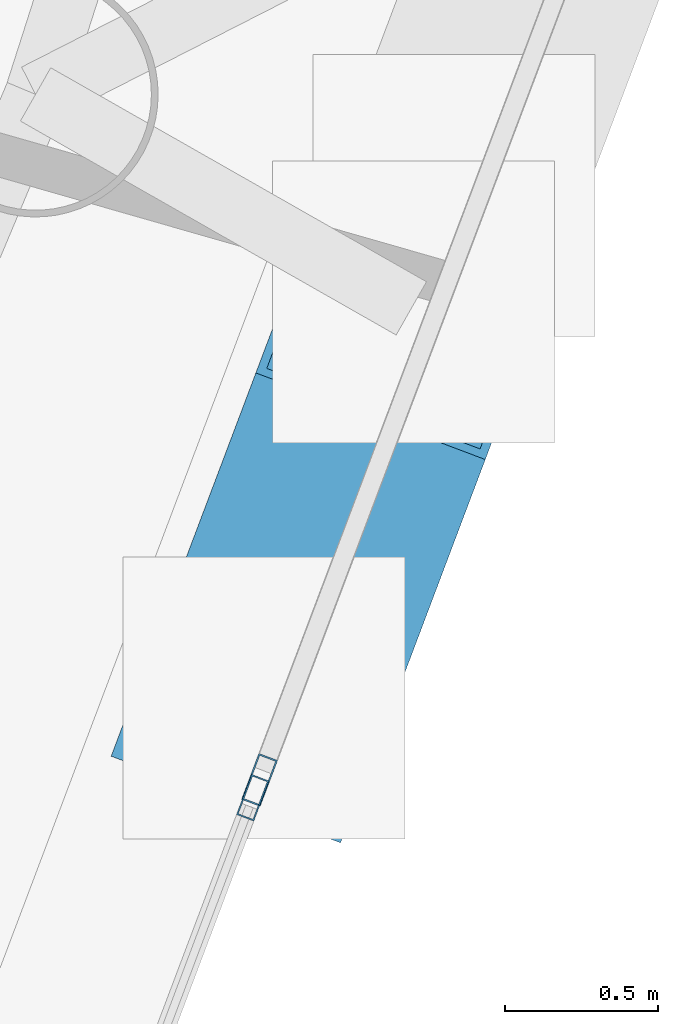
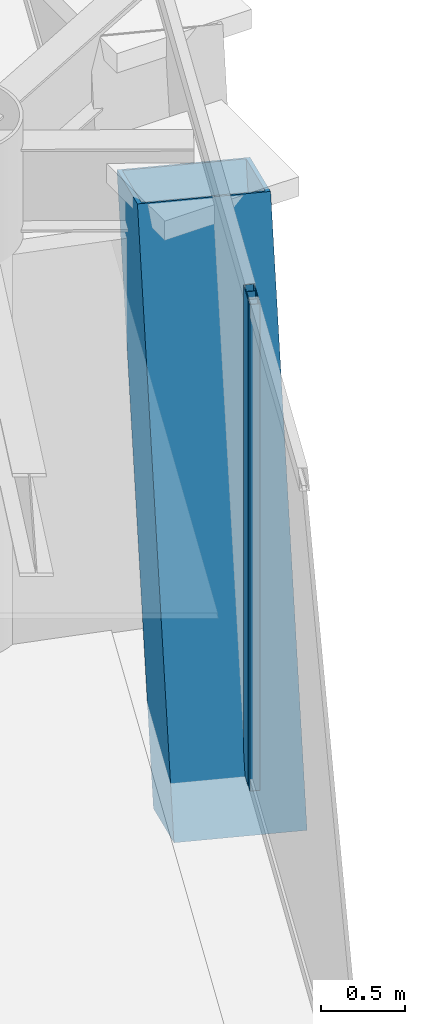
# One storey, part 6 of 19: 3 members, 2 elements without a shape of their own.
"""IFC4 building model written with IfcOpenShell, lengths in metres."""

from ifc_helpers import new_model, si_unit, direction, frame, origin, origin_2d, place, context, subcontext, project, spatial, hollow_rectangle, extrude, material, layer, layer_set, material_profile, profile_set, type_object, element, aggregate, save


model = new_model("IFC4")

# Units and contexts
model_context = context("Model", 3, precision=1e-05, world=origin(), true_north=direction((0.0, 1.0)))
body_context = subcontext(model_context, "Body", "Model", "MODEL_VIEW")
ifc_project = project(units=[si_unit("LENGTHUNIT", "METRE"), si_unit("AREAUNIT", "SQUARE_METRE"), si_unit("VOLUMEUNIT", "CUBIC_METRE"), si_unit("PLANEANGLEUNIT", "RADIAN"), si_unit("MASSUNIT", "GRAM", prefix="KILO")], contexts=[model_context])

# Site, building, storey
site_placement = place(None, origin())
site = spatial("IfcSite", under=ifc_project, at=site_placement, CompositionType="ELEMENT")
building_placement = place(site_placement, origin())
building = spatial("IfcBuilding", under=site, at=building_placement, Name="Qianvela Tower", CompositionType="ELEMENT")
storey_placement = place(building_placement, frame((0.0, 0.0, 340.699951171875)))
storey = spatial("IfcBuildingStorey", under=building, at=storey_placement, Name="L88", CompositionType="ELEMENT", Elevation=340.699951171875)

# Curtain wall, member
ifc_material_1 = material(Name="Anodised Architectural Aluminium and Insulated Spandrel Panel", Category="aluminium")
ifc_layer_1 = layer(ifc_material_1, 0.179931640625)
ifc_layer_set_1 = layer_set([ifc_layer_1], Name="Anodised Architectural Aluminium and Insulated Spandrel Panel")
curtain_wall_type_1 = type_object("IfcCurtainWallType", Name="CW-BRACEBAY", PredefinedType="USERDEFINED", material=ifc_layer_set_1)
curtain_wall_1_placement = place(storey_placement, origin())
curtain_wall_1 = element("IfcCurtainWall", 1, at=curtain_wall_1_placement, inside=storey, type_object=curtain_wall_type_1, Name="L88 CW-BRACEBAY Curtain Wall 06B", ObjectType="CURTAIN_WALL_SYSTEM", PredefinedType="USERDEFINED")
ifc_material_2 = material(Name="Anodised Architectural Aluminium 6063-T6", Category="aluminium")
ifc_material_profile_1 = material_profile(ifc_material_2, hollow_rectangle(XDim=0.06494140625, YDim=0.159912109375, WallThickness=0.0048828125, at=origin_2d()), Name="ALU-MULL-65x160")
ifc_profile_set_1 = profile_set([ifc_material_profile_1], Name="Anodised Architectural Aluminium 6063-T6")
member_type_1 = type_object("IfcMemberType", Name="CW-BRACEBAY-MULL", PredefinedType="MULLION", material=ifc_profile_set_1)
member_1_placement = place(storey_placement, frame((46.82568359375, 21.45458984375, 0.0), z_axis=(0.0, 0.0, 1.0), x_axis=(-0.935525215794, 0.353259919343, 0.0)))
member_1 = element("IfcMember", 2, at=member_1_placement, type_object=member_type_1, Name="CW-9 mullion 1", PredefinedType="MULLION", context=body_context, shape_type="SweptSolid", body=[
    extrude(hollow_rectangle(XDim=0.06494140625, YDim=0.159912109375, WallThickness=0.0048828125, at=origin_2d()), origin(), (0.0, 0.0, 1.0), 3.52001953125),
])
aggregate(curtain_wall_1, [member_1])

ifc_material_3 = material(Name="Anodised Architectural Aluminium and Low-E Glass", Category="aluminium")
ifc_layer_2 = layer(ifc_material_3, 0.14990234375)
ifc_layer_set_2 = layer_set([ifc_layer_2], Name="Anodised Architectural Aluminium and Low-E Glass")
curtain_wall_type_2 = type_object("IfcCurtainWallType", Name="CW-COLIV-Z78", PredefinedType="USERDEFINED", material=ifc_layer_set_2)
curtain_wall_2_placement = place(storey_placement, origin())
curtain_wall_2 = element("IfcCurtainWall", 3, at=curtain_wall_2_placement, inside=storey, type_object=curtain_wall_type_2, Name="L88 CW-COLIV-Z78 Curtain Wall 06A", ObjectType="CURTAIN_WALL_SYSTEM", PredefinedType="USERDEFINED")
ifc_material_4 = material(Name="Anodised Architectural Aluminium 6063-T6", Category="aluminium")
ifc_material_profile_2 = material_profile(ifc_material_4, hollow_rectangle(XDim=0.06005859375, YDim=0.139892578125, WallThickness=0.00439453125, at=origin_2d()), Name="ALU-MULL-60x140")
ifc_profile_set_2 = profile_set([ifc_material_profile_2], Name="Anodised Architectural Aluminium 6063-T6")
member_type_2 = type_object("IfcMemberType", Name="CW-COLIV-Z78-MULL", PredefinedType="MULLION", material=ifc_profile_set_2)
member_2_placement = place(storey_placement, frame((46.803466796875, 21.396240234375, 0.0), z_axis=(0.0, 0.0, 1.0), x_axis=(-0.935525754489, 0.353258492733, 0.0)))
member_2 = element("IfcMember", 4, at=member_2_placement, type_object=member_type_2, Name="CW-6 mullion 3", PredefinedType="MULLION", context=body_context, shape_type="SweptSolid", body=[
    extrude(hollow_rectangle(XDim=0.06005859375, YDim=0.139892578125, WallThickness=0.00439453125, at=origin_2d()), origin(), (0.0, 0.0, 1.0), 3.52001953125),
])
aggregate(curtain_wall_2, [member_2])

# Member
ifc_material_5 = material(Name="Steel Q420GJC", Category="steel")
ifc_material_profile_3 = material_profile(ifc_material_5, hollow_rectangle(XDim=0.800048828125, YDim=0.800048828125, WallThickness=0.028076171875, at=origin_2d()), Name="MBOX-800x800x28")
ifc_profile_set_3 = profile_set([ifc_material_profile_3], Name="Steel Q420GJC")
member_type_3 = type_object("IfcMemberType", Name="MBR-MBRACE-800", PredefinedType="BRACE", material=ifc_profile_set_3)
member_3_placement = place(storey_placement, frame((46.8486328125, 21.742431640625, -0.48193359375), z_axis=(0.120022569737, 0.317867426159, 0.940507778884), x_axis=(-0.935531122047, 0.353244277634, 0.0)))
element("IfcMember", 5, at=member_3_placement, inside=storey, type_object=member_type_3, Name="L88 Tier 14 Exterior Mega-Brace F3A", PredefinedType="BRACE", context=body_context, shape_type="SweptSolid", body=[
    extrude(hollow_rectangle(XDim=0.800048828125, YDim=0.800048828125, WallThickness=0.028076171875, at=origin_2d()), origin(), (0.0, 0.0, 1.0), 3.93408203125),
])

save(model, "model.ifc")
